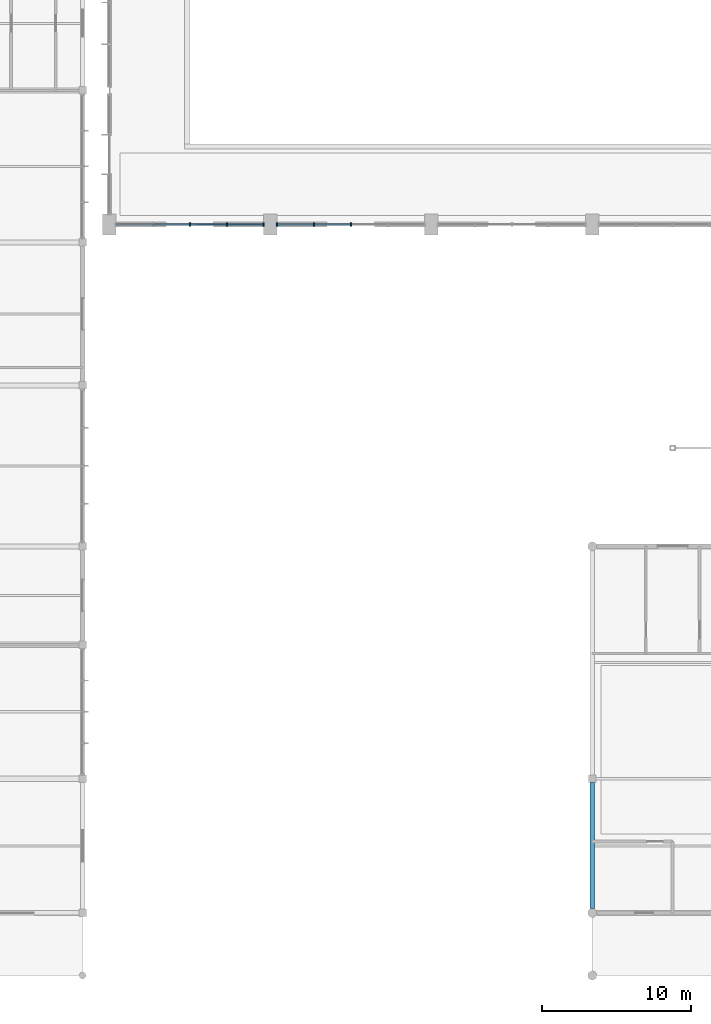
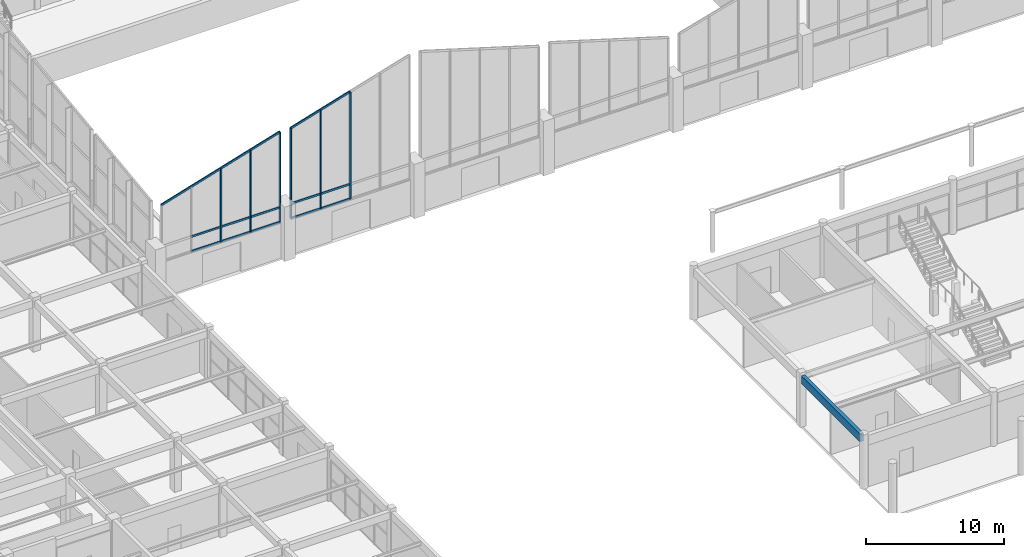
# One storey, part 21 of 82: 19 members, 1 beam, 2 elements without a shape of their own.
"""IFC4 building model written with IfcOpenShell, lengths in metres."""

from ifc_helpers import new_model, si_unit, direction, frame, origin, origin_2d, place, context, subcontext, project, spatial, rectangle, extrude, material, material_profile, profile_set, type_object, element, aggregate, save


model = new_model("IFC4")

# Units and contexts
model_context = context("Model", 3, precision=1e-05, world=origin(), true_north=direction((0.0, 1.0)))
body_context = subcontext(model_context, "Body", "Model", "MODEL_VIEW")
ifc_project = project(units=[si_unit("LENGTHUNIT", "METRE"), si_unit("AREAUNIT", "SQUARE_METRE"), si_unit("VOLUMEUNIT", "CUBIC_METRE"), si_unit("PLANEANGLEUNIT", "RADIAN"), si_unit("MASSUNIT", "GRAM", prefix="KILO")], contexts=[model_context])

# Site, building, storey
site_placement = place(None, origin())
site = spatial("IfcSite", under=ifc_project, at=site_placement, CompositionType="ELEMENT")
building_placement = place(site_placement, origin())
building = spatial("IfcBuilding", under=site, at=building_placement, Name="Suirenkawa Promenade Aquatics Centre", CompositionType="ELEMENT")
storey_placement = place(building_placement, origin())
storey = spatial("IfcBuildingStorey", under=building, at=storey_placement, Name="L00", CompositionType="ELEMENT", Elevation=0.0)

# Beam
ifc_material_1 = material(Name="Concrete M40", Category="concrete")
ifc_material_profile_1 = material_profile(ifc_material_1, rectangle(XDim=0.300048828125, YDim=0.699951171875, at=origin_2d()), Name="RC SPANDREL 300x700", Category="concrete")
ifc_profile_set_1 = profile_set([ifc_material_profile_1], Name="Concrete M40")
beam_type = type_object("IfcBeamType", Name="BT-SPANDREL-300x700", PredefinedType="SPANDREL", material=ifc_profile_set_1)
beam_placement = place(storey_placement, frame((79.199951171875, 4.493896484375, 4.199951171875), z_axis=(0.0, 1.0, 0.0), x_axis=(-1.0, 0.0, 0.0)))
element("IfcBeam", 1, at=beam_placement, inside=storey, type_object=beam_type, Name="Floor beam SP-01 BM-1518", PredefinedType="SPANDREL", context=body_context, shape_type="SweptSolid", body=[
    extrude(rectangle(XDim=0.300048828125, YDim=0.699951171875, at=origin_2d()), origin(), (0.0, 0.0, 1.0), 8.462158203125),
])

# Curtain wall, members
ifc_material_2 = material(Name="Anodised aluminium 6063-T6", Category="aluminium")
curtain_wall_type_1 = type_object("IfcCurtainWallType", Name="CWAT-CLERS-05", PredefinedType="NOTDEFINED", material=ifc_material_2)
curtain_wall_1_placement = place(storey_placement, origin())
curtain_wall_1 = element("IfcCurtainWall", 2, at=curtain_wall_1_placement, inside=storey, type_object=curtain_wall_type_1, Name="Curtain wall CWA-05 CW-009", PredefinedType="NOTDEFINED")
ifc_material_profile_2 = material_profile(ifc_material_2, rectangle(XDim=0.10009765625, YDim=0.219970703125, at=origin_2d()), Name="ALU MULL 100x220", Category="aluminium")
ifc_profile_set_2 = profile_set([ifc_material_profile_2], Name="Anodised aluminium 6063-T6")
member_type_1 = type_object("IfcMemberType", Name="CWM-220x100", PredefinedType="MULLION", material=ifc_profile_set_2)
member_1_placement = place(storey_placement, frame((57.15087890625, 50.39990234375, 3.10009765625), z_axis=(0.0, 0.0, 1.0), x_axis=(-1.0, 0.0, 0.0)))
member_1 = element("IfcMember", 3, at=member_1_placement, type_object=member_type_1, Name="Mullion ML-01 CWM-00205", PredefinedType="MULLION", context=body_context, shape_type="SweptSolid", body=[
    extrude(rectangle(XDim=0.10009765625, YDim=0.219970703125, at=origin_2d()), origin(), (0.0, 0.0, 1.0), 7.949951171875),
])
member_2_placement = place(storey_placement, frame((54.675537109375, 50.39990234375, 3.10009765625), z_axis=(0.0, 0.0, 1.0), x_axis=(-1.0, 0.0, 0.0)))
member_2 = element("IfcMember", 4, at=member_2_placement, type_object=member_type_1, Name="Mullion ML-01 CWM-00206", PredefinedType="MULLION", context=body_context, shape_type="SweptSolid", body=[
    extrude(rectangle(XDim=0.10009765625, YDim=0.219970703125, at=origin_2d()), origin(), (0.0, 0.0, 1.0), 7.199951171875),
])
member_3_placement = place(storey_placement, frame((52.199951171875, 50.39990234375, 3.10009765625), z_axis=(0.0, 0.0, 1.0), x_axis=(-1.0, 0.0, 0.0)))
member_3 = element("IfcMember", 5, at=member_3_placement, type_object=member_type_1, Name="Mullion ML-01 CWM-00207", PredefinedType="MULLION", context=body_context, shape_type="SweptSolid", body=[
    extrude(rectangle(XDim=0.10009765625, YDim=0.219970703125, at=origin_2d()), origin(), (0.0, 0.0, 1.0), 6.449951171875),
])

curtain_wall_type_2 = type_object("IfcCurtainWallType", Name="CWAT-CLERS-08", PredefinedType="NOTDEFINED", material=ifc_material_2)
curtain_wall_2_placement = place(storey_placement, origin())
curtain_wall_2 = element("IfcCurtainWall", 6, at=curtain_wall_2_placement, inside=storey, type_object=curtain_wall_type_2, Name="Curtain wall CWA-08 CW-012", PredefinedType="NOTDEFINED")
member_4_placement = place(storey_placement, frame((63.0, 50.39990234375, 3.10009765625), z_axis=(0.0, 0.0, 1.0), x_axis=(-1.0, 0.0, 0.0)))
member_4 = element("IfcMember", 7, at=member_4_placement, type_object=member_type_1, Name="Mullion ML-01 CWM-00267", PredefinedType="MULLION", context=body_context, shape_type="SweptSolid", body=[
    extrude(rectangle(XDim=0.10009765625, YDim=0.219970703125, at=origin_2d()), origin(), (0.0, 0.0, 1.0), 9.449951171875),
])
member_5_placement = place(storey_placement, frame((60.5244140625, 50.39990234375, 3.10009765625), z_axis=(0.0, 0.0, 1.0), x_axis=(-1.0, 0.0, 0.0)))
member_5 = element("IfcMember", 8, at=member_5_placement, type_object=member_type_1, Name="Mullion ML-01 CWM-00268", PredefinedType="MULLION", context=body_context, shape_type="SweptSolid", body=[
    extrude(rectangle(XDim=0.10009765625, YDim=0.219970703125, at=origin_2d()), origin(), (0.0, 0.0, 1.0), 8.699951171875),
])
member_6_placement = place(storey_placement, frame((58.049072265625, 50.39990234375, 3.10009765625), z_axis=(0.0, 0.0, 1.0), x_axis=(-1.0, 0.0, 0.0)))
member_6 = element("IfcMember", 9, at=member_6_placement, type_object=member_type_1, Name="Mullion ML-01 CWM-00269", PredefinedType="MULLION", context=body_context, shape_type="SweptSolid", body=[
    extrude(rectangle(XDim=0.10009765625, YDim=0.219970703125, at=origin_2d()), origin(), (0.0, 0.0, 1.0), 7.949951171875),
])

# Member
ifc_material_profile_3 = material_profile(ifc_material_2, rectangle(XDim=0.10009765625, YDim=0.169921875, at=origin_2d()), Name="ALU TRAN 100x170", Category="aluminium")
ifc_profile_set_3 = profile_set([ifc_material_profile_3], Name="Anodised aluminium 6063-T6")
member_type_2 = type_object("IfcMemberType", Name="CWT-170x100", PredefinedType="USERDEFINED", material=ifc_profile_set_3)
member_7_placement = place(storey_placement, frame((57.15087890625, 50.39990234375, 3.10009765625), z_axis=(-1.0, 0.0, 0.0), x_axis=(0.0, -1.0, 0.0)))
member_7 = element("IfcMember", 10, at=member_7_placement, type_object=member_type_2, Name="Transom TR-01 CWT-00210", ObjectType="TRANSOM", PredefinedType="USERDEFINED", context=body_context, shape_type="SweptSolid", body=[
    extrude(rectangle(XDim=0.10009765625, YDim=0.169921875, at=origin_2d()), origin(), (0.0, 0.0, 1.0), 2.475341796875),
])

member_8_placement = place(storey_placement, frame((54.675537109375, 50.39990234375, 3.10009765625), z_axis=(-1.0, 0.0, 0.0), x_axis=(0.0, -1.0, 0.0)))
member_8 = element("IfcMember", 11, at=member_8_placement, type_object=member_type_2, Name="Transom TR-01 CWT-00211", ObjectType="TRANSOM", PredefinedType="USERDEFINED", context=body_context, shape_type="SweptSolid", body=[
    extrude(rectangle(XDim=0.10009765625, YDim=0.169921875, at=origin_2d()), origin(), (0.0, 0.0, 1.0), 2.4755859375),
])

member_9_placement = place(storey_placement, frame((52.199951171875, 50.39990234375, 3.10009765625), z_axis=(-1.0, 0.0, 0.0), x_axis=(0.0, -1.0, 0.0)))
member_9 = element("IfcMember", 12, at=member_9_placement, type_object=member_type_2, Name="Transom TR-01 CWT-00212", ObjectType="TRANSOM", PredefinedType="USERDEFINED", context=body_context, shape_type="SweptSolid", body=[
    extrude(rectangle(XDim=0.10009765625, YDim=0.169921875, at=origin_2d()), origin(), (0.0, 0.0, 1.0), 2.475341796875),
])

member_10_placement = place(storey_placement, frame((57.15087890625, 50.39990234375, 4.39990234375), z_axis=(-1.0, 0.0, 0.0), x_axis=(0.0, -1.0, 0.0)))
member_10 = element("IfcMember", 13, at=member_10_placement, type_object=member_type_2, Name="Transom TR-01 CWT-00214", ObjectType="TRANSOM", PredefinedType="USERDEFINED", context=body_context, shape_type="SweptSolid", body=[
    extrude(rectangle(XDim=0.10009765625, YDim=0.169921875, at=origin_2d()), origin(), (0.0, 0.0, 1.0), 2.475341796875),
])

member_11_placement = place(storey_placement, frame((54.675537109375, 50.39990234375, 4.39990234375), z_axis=(-1.0, 0.0, 0.0), x_axis=(0.0, -1.0, 0.0)))
member_11 = element("IfcMember", 14, at=member_11_placement, type_object=member_type_2, Name="Transom TR-01 CWT-00215", ObjectType="TRANSOM", PredefinedType="USERDEFINED", context=body_context, shape_type="SweptSolid", body=[
    extrude(rectangle(XDim=0.10009765625, YDim=0.169921875, at=origin_2d()), origin(), (0.0, 0.0, 1.0), 2.4755859375),
])

member_12_placement = place(storey_placement, frame((52.199951171875, 50.39990234375, 4.39990234375), z_axis=(-1.0, 0.0, 0.0), x_axis=(0.0, -1.0, 0.0)))
member_12 = element("IfcMember", 15, at=member_12_placement, type_object=member_type_2, Name="Transom TR-01 CWT-00216", ObjectType="TRANSOM", PredefinedType="USERDEFINED", context=body_context, shape_type="SweptSolid", body=[
    extrude(rectangle(XDim=0.10009765625, YDim=0.169921875, at=origin_2d()), origin(), (0.0, 0.0, 1.0), 2.475341796875),
])

member_13_placement = place(storey_placement, frame((57.15087890625, 50.39990234375, 11.050048828125), z_axis=(-0.957039486046, 0.0, -0.289957621296), x_axis=(0.0, -1.0, 0.0)))
member_13 = element("IfcMember", 16, at=member_13_placement, type_object=member_type_2, Name="Roofline transom TR-01 CWT-00218", ObjectType="TRANSOM", PredefinedType="USERDEFINED", context=body_context, shape_type="SweptSolid", body=[
    extrude(rectangle(XDim=0.10009765625, YDim=0.169921875, at=origin_2d()), origin(), (0.0, 0.0, 1.0), 5.173095703125),
])

member_14_placement = place(storey_placement, frame((52.199951171875, 50.39990234375, 9.550048828125), z_axis=(-0.957039486046, 0.0, -0.289957621296), x_axis=(0.0, -1.0, 0.0)))
member_14 = element("IfcMember", 17, at=member_14_placement, type_object=member_type_2, Name="Roofline transom TR-01 CWT-00219", ObjectType="TRANSOM", PredefinedType="USERDEFINED", context=body_context, shape_type="SweptSolid", body=[
    extrude(rectangle(XDim=0.10009765625, YDim=0.169921875, at=origin_2d()), origin(), (0.0, 0.0, 1.0), 5.173095703125),
])

aggregate(curtain_wall_1, [member_1, member_2, member_3, member_7, member_8, member_9, member_10, member_11, member_12, member_13, member_14])

member_15_placement = place(storey_placement, frame((63.0, 50.39990234375, 3.10009765625), z_axis=(-1.0, 0.0, 0.0), x_axis=(0.0, -1.0, 0.0)))
member_15 = element("IfcMember", 18, at=member_15_placement, type_object=member_type_2, Name="Transom TR-01 CWT-00272", ObjectType="TRANSOM", PredefinedType="USERDEFINED", context=body_context, shape_type="SweptSolid", body=[
    extrude(rectangle(XDim=0.10009765625, YDim=0.169921875, at=origin_2d()), origin(), (0.0, 0.0, 1.0), 2.4755859375),
])

member_16_placement = place(storey_placement, frame((60.5244140625, 50.39990234375, 3.10009765625), z_axis=(-1.0, 0.0, 0.0), x_axis=(0.0, -1.0, 0.0)))
member_16 = element("IfcMember", 19, at=member_16_placement, type_object=member_type_2, Name="Transom TR-01 CWT-00273", ObjectType="TRANSOM", PredefinedType="USERDEFINED", context=body_context, shape_type="SweptSolid", body=[
    extrude(rectangle(XDim=0.10009765625, YDim=0.169921875, at=origin_2d()), origin(), (0.0, 0.0, 1.0), 2.475341796875),
])

member_17_placement = place(storey_placement, frame((63.0, 50.39990234375, 4.39990234375), z_axis=(-1.0, 0.0, 0.0), x_axis=(0.0, -1.0, 0.0)))
member_17 = element("IfcMember", 20, at=member_17_placement, type_object=member_type_2, Name="Transom TR-01 CWT-00276", ObjectType="TRANSOM", PredefinedType="USERDEFINED", context=body_context, shape_type="SweptSolid", body=[
    extrude(rectangle(XDim=0.10009765625, YDim=0.169921875, at=origin_2d()), origin(), (0.0, 0.0, 1.0), 2.4755859375),
])

member_18_placement = place(storey_placement, frame((60.5244140625, 50.39990234375, 4.39990234375), z_axis=(-1.0, 0.0, 0.0), x_axis=(0.0, -1.0, 0.0)))
member_18 = element("IfcMember", 21, at=member_18_placement, type_object=member_type_2, Name="Transom TR-01 CWT-00277", ObjectType="TRANSOM", PredefinedType="USERDEFINED", context=body_context, shape_type="SweptSolid", body=[
    extrude(rectangle(XDim=0.10009765625, YDim=0.169921875, at=origin_2d()), origin(), (0.0, 0.0, 1.0), 2.475341796875),
])

member_19_placement = place(storey_placement, frame((63.0, 50.39990234375, 12.550048828125), z_axis=(-0.957039486046, 0.0, -0.289957621296), x_axis=(0.0, -1.0, 0.0)))
member_19 = element("IfcMember", 22, at=member_19_placement, type_object=member_type_2, Name="Roofline transom TR-01 CWT-00279", ObjectType="TRANSOM", PredefinedType="USERDEFINED", context=body_context, shape_type="SweptSolid", body=[
    extrude(rectangle(XDim=0.10009765625, YDim=0.169921875, at=origin_2d()), origin(), (0.0, 0.0, 1.0), 5.173095703125),
])

aggregate(curtain_wall_2, [member_4, member_5, member_6, member_15, member_16, member_17, member_18, member_19])

save(model, "model.ifc")
